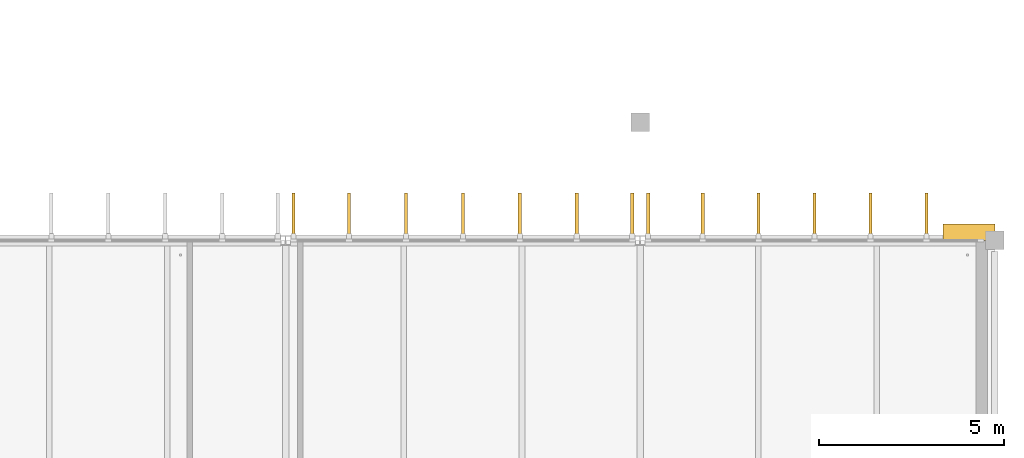
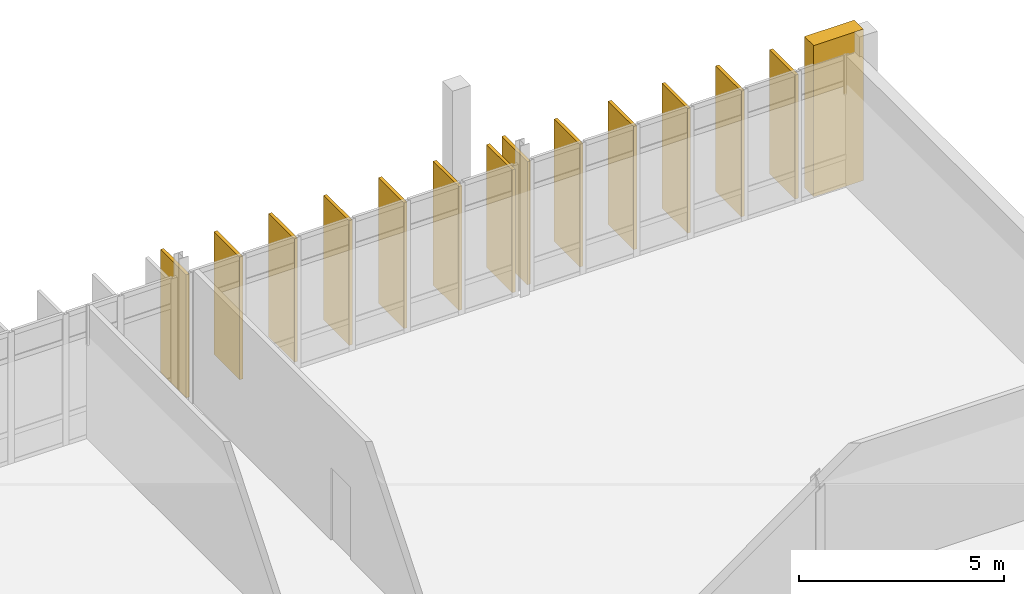
# One storey, part 107 of 107: 14 coverings.
"""IFC4 building model written with IfcOpenShell, lengths in metres."""

from ifc_helpers import new_model, si_unit, direction, frame, origin, origin_2d, place, context, subcontext, project, spatial, rectangle, extrude, material, layer, layer_set, type_object, element, save


model = new_model("IFC4")

# Units and contexts
model_context = context("Model", 3, precision=1e-05, world=origin(), true_north=direction((0.0, 1.0)))
body_context = subcontext(model_context, "Body", "Model", "MODEL_VIEW")
ifc_project = project(units=[si_unit("LENGTHUNIT", "METRE"), si_unit("AREAUNIT", "SQUARE_METRE"), si_unit("VOLUMEUNIT", "CUBIC_METRE"), si_unit("PLANEANGLEUNIT", "RADIAN"), si_unit("MASSUNIT", "GRAM", prefix="KILO")], contexts=[model_context])

# Site, building, storey
site_placement = place(None, origin())
site = spatial("IfcSite", under=ifc_project, at=site_placement, CompositionType="ELEMENT")
building_placement = place(site_placement, origin())
building = spatial("IfcBuilding", under=site, at=building_placement, Name="Dunescarp Central Library", CompositionType="ELEMENT")
storey_placement = place(building_placement, frame((0.0, 0.0, 5.10009765625)))
storey = spatial("IfcBuildingStorey", under=building, at=storey_placement, Name="L01", CompositionType="ELEMENT", Elevation=5.10009765625)

# Coverings
ifc_material = material(Name="Glass-fibre reinforced concrete GRC", Category="concrete")
ifc_layer_1 = layer(ifc_material, 0.090087890625)
ifc_layer_set_1 = layer_set([ifc_layer_1], Name="Glass-fibre reinforced concrete GRC")
covering_type_1 = type_object("IfcCoveringType", Name="ARC-COV-FIN1250", PredefinedType="CLADDING", material=ifc_layer_set_1)
covering_1_placement = place(storey_placement, frame((149.014892578125, 45.4619140625, 0.166259765625), z_axis=(0.0, 0.0, 1.0), x_axis=(0.0, 1.0, 0.0)))
element("IfcCovering", 1, at=covering_1_placement, inside=storey, type_object=covering_type_1, Name="L01 parametric vertical facade fin FIN-L01-1005", PredefinedType="CLADDING", context=body_context, shape_type="SweptSolid", body=[
    extrude(rectangle(XDim=1.25, YDim=0.090087890625, at=origin_2d()), origin(), (0.0, 0.0, 1.0), 3.6630859375),
])
covering_2_placement = place(storey_placement, frame((150.51708984375, 45.4619140625, 0.179931640625), z_axis=(0.0, 0.0, 1.0), x_axis=(0.0, 1.0, 0.0)))
element("IfcCovering", 2, at=covering_2_placement, inside=storey, type_object=covering_type_1, Name="L01 parametric vertical facade fin FIN-L01-1006", PredefinedType="CLADDING", context=body_context, shape_type="SweptSolid", body=[
    extrude(rectangle(XDim=1.25, YDim=0.090087890625, at=origin_2d()), origin(), (0.0, 0.0, 1.0), 3.64990234375),
])
covering_3_placement = place(storey_placement, frame((152.05810546875, 45.4619140625, 0.163818359375), z_axis=(0.0, 0.0, 1.0), x_axis=(0.0, 1.0, 0.0)))
element("IfcCovering", 3, at=covering_3_placement, inside=storey, type_object=covering_type_1, Name="L01 parametric vertical facade fin FIN-L01-1007", PredefinedType="CLADDING", context=body_context, shape_type="SweptSolid", body=[
    extrude(rectangle(XDim=1.25, YDim=0.090087890625, at=origin_2d()), origin(), (0.0, 0.0, 1.0), 3.666015625),
])
covering_4_placement = place(storey_placement, frame((153.60009765625, 45.4619140625, 0.122314453125), z_axis=(0.0, 0.0, 1.0), x_axis=(0.0, 1.0, 0.0)))
element("IfcCovering", 4, at=covering_4_placement, inside=storey, type_object=covering_type_1, Name="L01 parametric vertical facade fin FIN-L01-1008", PredefinedType="CLADDING", context=body_context, shape_type="SweptSolid", body=[
    extrude(rectangle(XDim=1.25, YDim=0.090087890625, at=origin_2d()), origin(), (0.0, 0.0, 1.0), 3.70703125),
])
covering_5_placement = place(storey_placement, frame((155.14208984375, 45.4619140625, 0.08056640625), z_axis=(0.0, 0.0, 1.0), x_axis=(0.0, 1.0, 0.0)))
element("IfcCovering", 5, at=covering_5_placement, inside=storey, type_object=covering_type_1, Name="L01 parametric vertical facade fin FIN-L01-1009", PredefinedType="CLADDING", context=body_context, shape_type="SweptSolid", body=[
    extrude(rectangle(XDim=1.25, YDim=0.090087890625, at=origin_2d()), origin(), (0.0, 0.0, 1.0), 3.739013671875),
])
covering_6_placement = place(storey_placement, frame((156.68310546875, 45.4619140625, 0.079345703125), z_axis=(0.0, 0.0, 1.0), x_axis=(0.0, 1.0, 0.0)))
element("IfcCovering", 6, at=covering_6_placement, inside=storey, type_object=covering_type_1, Name="L01 parametric vertical facade fin FIN-L01-1010", PredefinedType="CLADDING", context=body_context, shape_type="SweptSolid", body=[
    extrude(rectangle(XDim=1.25, YDim=0.090087890625, at=origin_2d()), origin(), (0.0, 0.0, 1.0), 3.68896484375),
])
covering_7_placement = place(storey_placement, frame((158.18505859375, 45.4619140625, 0.080078125), z_axis=(0.0, 0.0, 1.0), x_axis=(0.0, 1.0, 0.0)))
element("IfcCovering", 7, at=covering_7_placement, inside=storey, type_object=covering_type_1, Name="L01 parametric vertical facade fin FIN-L01-1011", PredefinedType="CLADDING", context=body_context, shape_type="SweptSolid", body=[
    extrude(rectangle(XDim=1.25, YDim=0.090087890625, at=origin_2d()), origin(), (0.0, 0.0, 1.0), 3.656005859375),
])
covering_8_placement = place(storey_placement, frame((158.614990234375, 45.4619140625, 0.166259765625), z_axis=(0.0, 0.0, 1.0), x_axis=(0.0, 1.0, 0.0)))
element("IfcCovering", 8, at=covering_8_placement, inside=storey, type_object=covering_type_1, Name="L01 parametric vertical facade fin FIN-L01-1012", PredefinedType="CLADDING", context=body_context, shape_type="SweptSolid", body=[
    extrude(rectangle(XDim=1.25, YDim=0.090087890625, at=origin_2d()), origin(), (0.0, 0.0, 1.0), 3.6630859375),
])
covering_9_placement = place(storey_placement, frame((160.090087890625, 45.4619140625, 0.179931640625), z_axis=(0.0, 0.0, 1.0), x_axis=(0.0, 1.0, 0.0)))
element("IfcCovering", 9, at=covering_9_placement, inside=storey, type_object=covering_type_1, Name="L01 parametric vertical facade fin FIN-L01-1013", PredefinedType="CLADDING", context=body_context, shape_type="SweptSolid", body=[
    extrude(rectangle(XDim=1.25, YDim=0.090087890625, at=origin_2d()), origin(), (0.0, 0.0, 1.0), 3.64990234375),
])
covering_10_placement = place(storey_placement, frame((161.60498046875, 45.4619140625, 0.163818359375), z_axis=(0.0, 0.0, 1.0), x_axis=(0.0, 1.0, 0.0)))
element("IfcCovering", 10, at=covering_10_placement, inside=storey, type_object=covering_type_1, Name="L01 parametric vertical facade fin FIN-L01-1014", PredefinedType="CLADDING", context=body_context, shape_type="SweptSolid", body=[
    extrude(rectangle(XDim=1.25, YDim=0.090087890625, at=origin_2d()), origin(), (0.0, 0.0, 1.0), 3.666015625),
])
covering_11_placement = place(storey_placement, frame((163.1201171875, 45.4619140625, 0.122314453125), z_axis=(0.0, 0.0, 1.0), x_axis=(0.0, 1.0, 0.0)))
element("IfcCovering", 11, at=covering_11_placement, inside=storey, type_object=covering_type_1, Name="L01 parametric vertical facade fin FIN-L01-1015", PredefinedType="CLADDING", context=body_context, shape_type="SweptSolid", body=[
    extrude(rectangle(XDim=1.25, YDim=0.090087890625, at=origin_2d()), origin(), (0.0, 0.0, 1.0), 3.70703125),
])
covering_12_placement = place(storey_placement, frame((164.635009765625, 45.4619140625, 0.08056640625), z_axis=(0.0, 0.0, 1.0), x_axis=(0.0, 1.0, 0.0)))
element("IfcCovering", 12, at=covering_12_placement, inside=storey, type_object=covering_type_1, Name="L01 parametric vertical facade fin FIN-L01-1016", PredefinedType="CLADDING", context=body_context, shape_type="SweptSolid", body=[
    extrude(rectangle(XDim=1.25, YDim=0.090087890625, at=origin_2d()), origin(), (0.0, 0.0, 1.0), 3.739013671875),
])
covering_13_placement = place(storey_placement, frame((166.14990234375, 45.4619140625, 0.079345703125), z_axis=(0.0, 0.0, 1.0), x_axis=(0.0, 1.0, 0.0)))
element("IfcCovering", 13, at=covering_13_placement, inside=storey, type_object=covering_type_1, Name="L01 parametric vertical facade fin FIN-L01-1017", PredefinedType="CLADDING", context=body_context, shape_type="SweptSolid", body=[
    extrude(rectangle(XDim=1.25, YDim=0.090087890625, at=origin_2d()), origin(), (0.0, 0.0, 1.0), 3.68896484375),
])
ifc_layer_2 = layer(ifc_material, 0.449951171875)
ifc_layer_set_2 = layer_set([ifc_layer_2], Name="Glass-fibre reinforced concrete GRC")
covering_type_2 = type_object("IfcCoveringType", Name="ARC-COV-PORTAL", PredefinedType="CLADDING", material=ifc_layer_set_2)
covering_14_placement = place(storey_placement, frame((167.300048828125, 45.02001953125, 0.0), z_axis=(0.0, 0.0, 1.0), x_axis=(1.0, 0.0, 0.0)))
element("IfcCovering", 14, at=covering_14_placement, inside=storey, type_object=covering_type_2, Name="V5 sculpted GRC portal pier PRT-BAND-V5-056", PredefinedType="CLADDING", context=body_context, shape_type="SweptSolid", body=[
    extrude(rectangle(XDim=1.39990234375, YDim=0.449951171875, at=origin_2d()), origin(), (0.0, 0.0, 1.0), 4.5),
])

save(model, "model.ifc")
